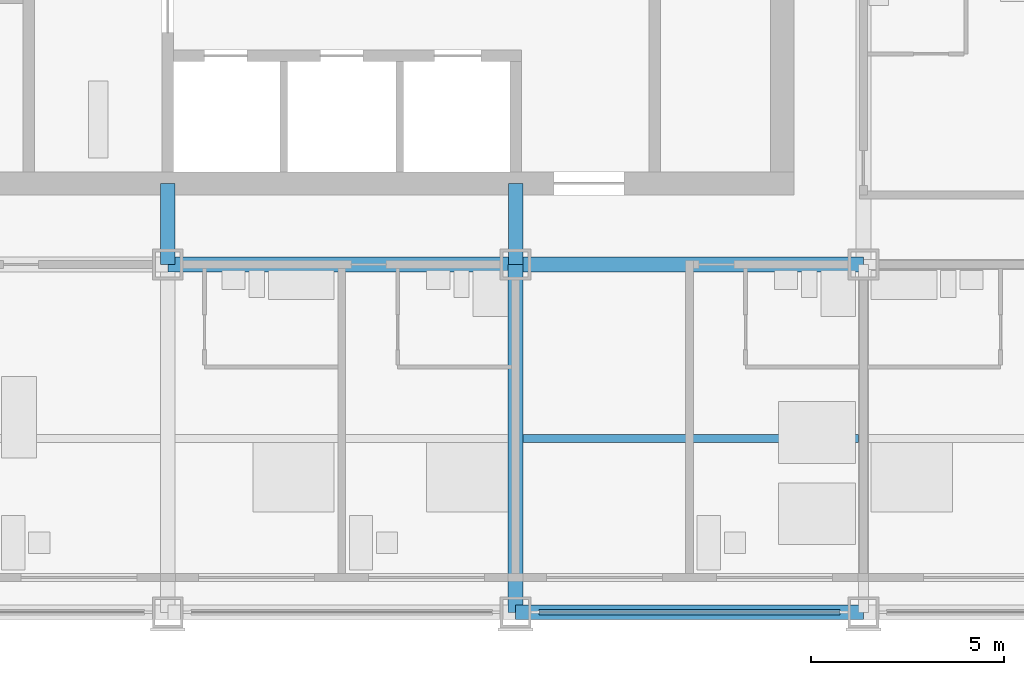
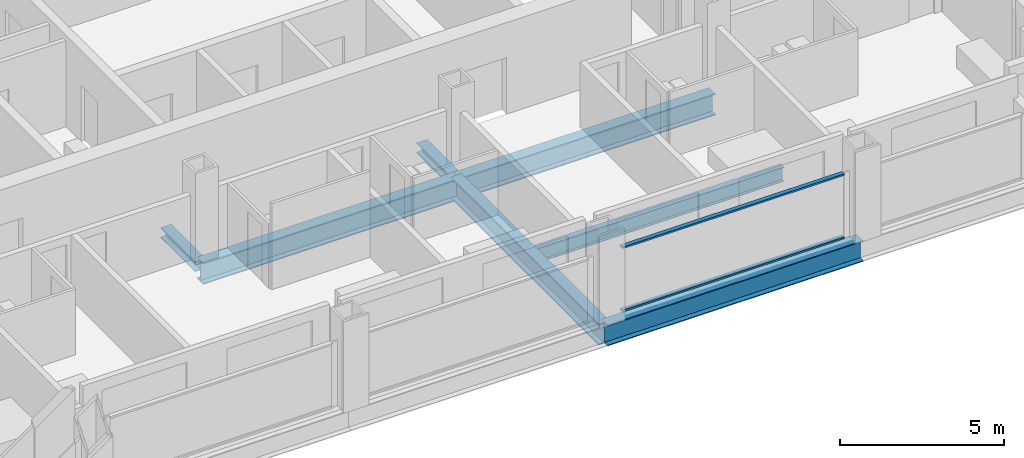
# One storey, part 3 of 16: 5 beams, 4 members, 1 element without a shape of its own.
"""IFC4 building model written with IfcOpenShell, lengths in metres."""

from ifc_helpers import new_model, si_unit, direction, frame, origin, origin_2d, place, context, subcontext, project, spatial, rectangle, i_section, extrude, material, material_profile, profile_set, type_object, element, aggregate, save


model = new_model("IFC4")

# Units and contexts
model_context = context("Model", 3, precision=1e-05, world=origin(), true_north=direction((0.0, 1.0)))
body_context = subcontext(model_context, "Body", "Model", "MODEL_VIEW")
ifc_project = project(units=[si_unit("LENGTHUNIT", "METRE"), si_unit("AREAUNIT", "SQUARE_METRE"), si_unit("VOLUMEUNIT", "CUBIC_METRE"), si_unit("PLANEANGLEUNIT", "RADIAN"), si_unit("MASSUNIT", "GRAM", prefix="KILO")], contexts=[model_context])

# Site, building, storey
site_placement = place(None, origin())
site = spatial("IfcSite", under=ifc_project, at=site_placement, CompositionType="ELEMENT")
building_placement = place(site_placement, origin())
building = spatial("IfcBuilding", under=site, at=building_placement, Name="Loomwork Tower", CompositionType="ELEMENT")
storey_placement = place(building_placement, frame((0.0, 0.0, 101.0)))
storey = spatial("IfcBuildingStorey", under=building, at=storey_placement, Name="L26", CompositionType="ELEMENT", Elevation=101.0)

# Beams
ifc_material_1 = material(Name="Steel ASTM A992", Category="steel")
ifc_material_profile_1 = material_profile(ifc_material_1, i_section(OverallWidth=0.383544921875, OverallDepth=0.794921875, WebThickness=0.02099609375, FlangeThickness=0.0380859375, at=origin_2d()), Name="W30x235")
ifc_profile_set_1 = profile_set([ifc_material_profile_1], Name="Steel ASTM A992")
beam_type_1 = type_object("IfcBeamType", Name="CORE FLANK GIRDER W30x235", PredefinedType="BEAM", material=ifc_profile_set_1)
for number, where, z_axis, x_axis, name in (
    (1, (18.0, 9.0, -0.597412109375), (1.0, 0.0, 0.0), (0.0, 1.0, 0.0), "Core Flank Girder E/4-E/5 L26"),
    (2, (27.0, 9.0, -0.597412109375), (1.0, 0.0, 0.0), (0.0, 1.0, 0.0), "Core Flank Girder E/5-E/6 L26"),
    (3, (27.0, 0.0, -0.597412109375), (0.0, 1.0, 0.0), (-1.0, 0.0, 0.0), "Core Flank Girder D/5-E/5 L26"),
):
    element("IfcBeam", number, at=place(storey_placement, frame(where, z_axis=z_axis, x_axis=x_axis)), inside=storey, type_object=beam_type_1, Name=name, PredefinedType="BEAM", context=body_context, shape_type="SweptSolid", body=[
        extrude(i_section(OverallWidth=0.383544921875, OverallDepth=0.794921875, WebThickness=0.02099609375, FlangeThickness=0.0380859375, at=origin_2d()), origin(), (0.0, 0.0, 1.0), 9.0),
    ])

# Members
ifc_material_2 = material(Name="Steel ASTM A992", Category="steel")
ifc_material_profile_2 = material_profile(ifc_material_2, i_section(OverallWidth=0.373291015625, OverallDepth=0.373291015625, WebThickness=0.016357421875, FlangeThickness=0.026123046875, at=origin_2d()), Name="W14x132")
ifc_profile_set_2 = profile_set([ifc_material_profile_2], Name="Steel ASTM A992")
member_type_1 = type_object("IfcMemberType", Name="CORE LINK STRUT W14x132", PredefinedType="STRUT", material=ifc_profile_set_2)
for number, where, z_axis, x_axis, name in (
    (4, (27.0, 9.0, -0.38671875), (0.0, 1.0, 0.0), (-1.0, 0.0, 0.0), "Core link strut E/5-27.000,11.100 L26"),
    (5, (18.0, 9.0, -0.38671875), (0.0, 1.0, 0.0), (-1.0, 0.0, 0.0), "Core link strut E/4-18.000,11.100 L26"),
):
    element("IfcMember", number, at=place(storey_placement, frame(where, z_axis=z_axis, x_axis=x_axis)), inside=storey, type_object=member_type_1, Name=name, PredefinedType="STRUT", context=body_context, shape_type="SweptSolid", body=[
        extrude(i_section(OverallWidth=0.373291015625, OverallDepth=0.373291015625, WebThickness=0.016357421875, FlangeThickness=0.026123046875, at=origin_2d()), origin(), (0.0, 0.0, 1.0), 2.10009765625),
    ])

# Beam
ifc_material_3 = material(Name="Steel ASTM A992", Category="steel")
ifc_material_profile_3 = material_profile(ifc_material_3, i_section(OverallWidth=0.2109375, OverallDepth=0.53857421875, WebThickness=0.011474609375, FlangeThickness=0.018798828125, at=origin_2d()), Name="W21x73")
ifc_profile_set_3 = profile_set([ifc_material_profile_3], Name="Steel ASTM A992")
beam_type_2 = type_object("IfcBeamType", Name="FLOOR JOIST W21x73", PredefinedType="JOIST", material=ifc_profile_set_3)
beam_1_placement = place(storey_placement, frame((27.19091796875, 4.5, -0.46923828125), z_axis=(1.0, 0.0, 0.0), x_axis=(0.0, 1.0, 0.0)))
element("IfcBeam", 6, at=beam_1_placement, inside=storey, type_object=beam_type_2, Name="Floor Joist 27.000,4.500-36.000,4.500 L26", PredefinedType="JOIST", context=body_context, shape_type="SweptSolid", body=[
    extrude(i_section(OverallWidth=0.2109375, OverallDepth=0.53857421875, WebThickness=0.011474609375, FlangeThickness=0.018798828125, at=origin_2d()), origin(), (0.0, 0.0, 1.0), 8.676025390625),
])

# Curtain wall, members
ifc_material_4 = material(Name="Aluminium curtain wall frame", Category="aluminium")
curtain_wall_type = type_object("IfcCurtainWallType", Name="Outer skin glazing hotel", PredefinedType="NOTDEFINED", material=ifc_material_4)
curtain_wall_placement = place(storey_placement, origin())
curtain_wall = element("IfcCurtainWall", 7, at=curtain_wall_placement, inside=storey, type_object=curtain_wall_type, Name="Outer skin glazing hotel cw/S-27", PredefinedType="NOTDEFINED")
ifc_material_5 = material(Name="Aluminium curtain wall frame", Category="aluminium")
ifc_material_profile_4 = material_profile(ifc_material_5, rectangle(XDim=0.14990234375, YDim=0.06494140625, at=origin_2d()), Name="AL 65x150")
ifc_profile_set_4 = profile_set([ifc_material_profile_4], Name="Aluminium curtain wall frame")
member_type_2 = type_object("IfcMemberType", Name="Outer skin glazing hotel transom", PredefinedType="USERDEFINED", material=ifc_profile_set_4)
member_1_placement = place(storey_placement, frame((27.60009765625, 0.0, 0.032470703125), z_axis=(1.0, 0.0, 0.0), x_axis=(0.0, 1.0, 0.0)))
member_1 = element("IfcMember", 8, at=member_1_placement, type_object=member_type_2, Name="CW1 transom 1.1", ObjectType="TRANSOM", PredefinedType="USERDEFINED", context=body_context, shape_type="SweptSolid", body=[
    extrude(rectangle(XDim=0.14990234375, YDim=0.06494140625, at=origin_2d()), origin(), (0.0, 0.0, 1.0), 7.7998046875),
])
member_2_placement = place(storey_placement, frame((27.60009765625, 0.0, 2.3876953125), z_axis=(1.0, 0.0, 0.0), x_axis=(0.0, 1.0, 0.0)))
member_2 = element("IfcMember", 9, at=member_2_placement, type_object=member_type_2, Name="CW1 transom 1.2", ObjectType="TRANSOM", PredefinedType="USERDEFINED", context=body_context, shape_type="SweptSolid", body=[
    extrude(rectangle(XDim=0.14990234375, YDim=0.06494140625, at=origin_2d()), origin(), (0.0, 0.0, 1.0), 7.7998046875),
])
aggregate(curtain_wall, [member_1, member_2])

# Beam
ifc_material_6 = material(Name="Steel ASTM A992", Category="steel")
ifc_material_profile_5 = material_profile(ifc_material_6, i_section(OverallWidth=0.381103515625, OverallDepth=0.77978515625, WebThickness=0.01806640625, FlangeThickness=0.0302734375, at=origin_2d()), Name="W30x191")
ifc_profile_set_5 = profile_set([ifc_material_profile_5], Name="Steel ASTM A992")
beam_type_3 = type_object("IfcBeamType", Name="SPANDREL GIRDER W30x191", PredefinedType="SPANDREL", material=ifc_profile_set_5)
beam_2_placement = place(storey_placement, frame((27.0, 0.0, -0.58984375), z_axis=(1.0, 0.0, 0.0), x_axis=(0.0, 1.0, 0.0)))
element("IfcBeam", 10, at=beam_2_placement, inside=storey, type_object=beam_type_3, Name="Spandrel Girder D/5-D/6 L26", PredefinedType="SPANDREL", context=body_context, shape_type="SweptSolid", body=[
    extrude(i_section(OverallWidth=0.381103515625, OverallDepth=0.77978515625, WebThickness=0.01806640625, FlangeThickness=0.0302734375, at=origin_2d()), origin(), (0.0, 0.0, 1.0), 9.0),
])

save(model, "model.ifc")
